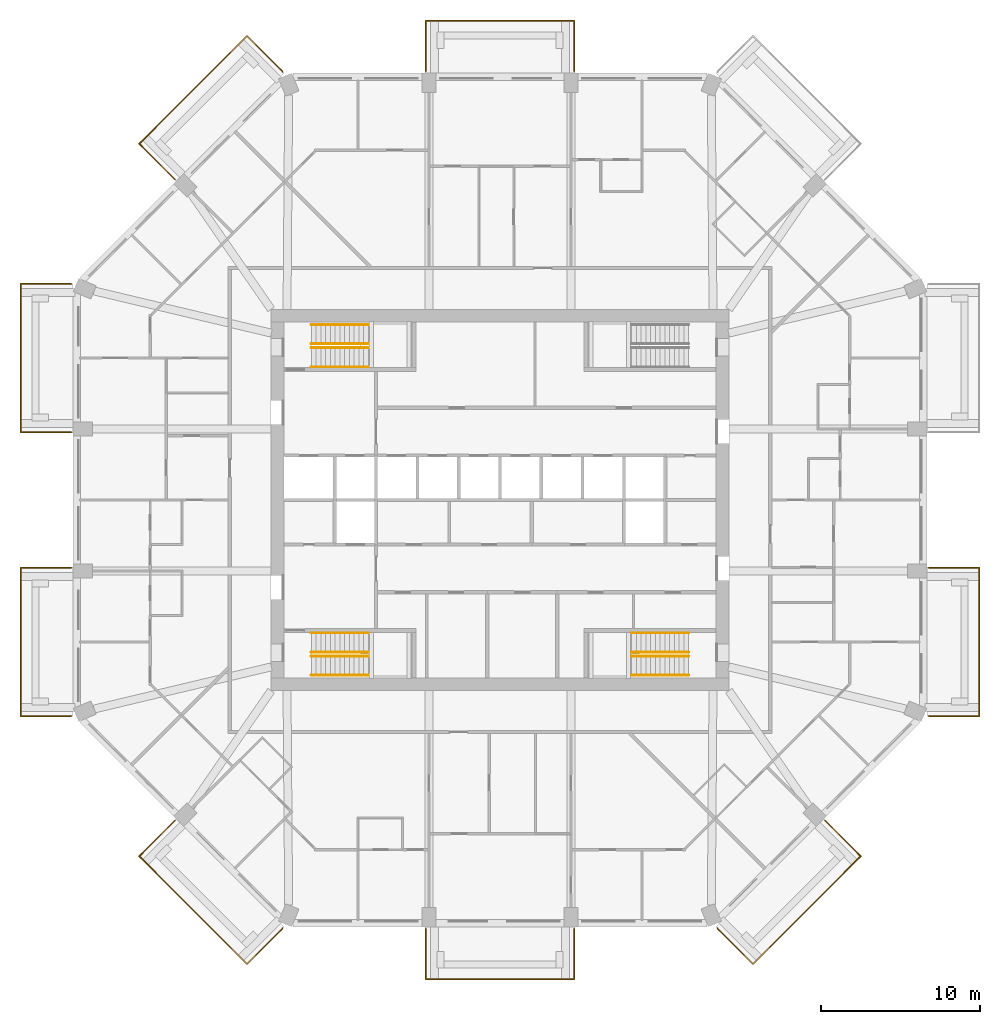
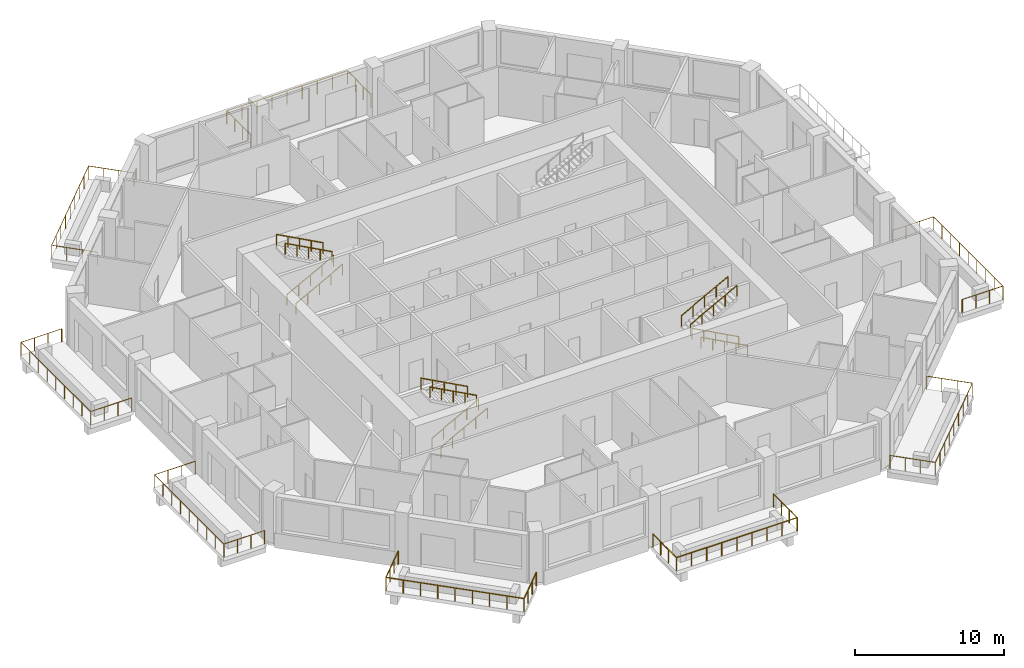
# One storey, part 12 of 13: 20 railings.
"""IFC4 building model written with IfcOpenShell, lengths in metres."""

from ifc_helpers import new_model, si_unit, direction, frame, origin, origin_2d, place, context, subcontext, project, spatial, circle, extrude, material, constituent, constituent_set, type_object, element, save


model = new_model("IFC4")

# Units and contexts
model_context = context("Model", 3, precision=1e-05, world=origin(), true_north=direction((0.0, 1.0)))
body_context = subcontext(model_context, "Body", "Model", "MODEL_VIEW")
ifc_project = project(units=[si_unit("LENGTHUNIT", "METRE"), si_unit("AREAUNIT", "SQUARE_METRE"), si_unit("VOLUMEUNIT", "CUBIC_METRE"), si_unit("PLANEANGLEUNIT", "RADIAN"), si_unit("MASSUNIT", "GRAM", prefix="KILO")], contexts=[model_context])

# Site, building, storey
site_placement = place(None, origin())
site = spatial("IfcSite", under=ifc_project, at=site_placement, CompositionType="ELEMENT")
building_placement = place(site_placement, origin())
building = spatial("IfcBuilding", under=site, at=building_placement, Name="Msitu Wima Residences", CompositionType="ELEMENT")
storey_placement = place(building_placement, frame((0.0, 0.0, 140.10009765625)))
storey = spatial("IfcBuildingStorey", under=building, at=storey_placement, Name="L32", CompositionType="ELEMENT", Elevation=140.10009765625)

# Railings
ifc_material_1 = material(Name="Steel S355", Category="steel")
ifc_constituent_1 = constituent(ifc_material_1, Name="Steel S355")
ifc_material_2 = material(Name="Weathering patina")
ifc_constituent_2 = constituent(ifc_material_2, Name="Weathering patina")
ifc_constituent_set_1 = constituent_set(constituents=[ifc_constituent_1, ifc_constituent_2], Name="Steel S355")
railing_type_1 = type_object("IfcRailingType", Name="Balcony guard GR1100", PredefinedType="GUARDRAIL", material=ifc_constituent_set_1)
railing_1_placement = place(storey_placement, frame((26.97998046875, -4.2685546875, 0.0)))
element("IfcRailing", 1, at=railing_1_placement, inside=storey, type_object=railing_type_1, Name="Balcony guard E0 L32", PredefinedType="GUARDRAIL", context=body_context, shape_type="SweptSolid", body=[
    extrude(circle(Radius=0.02392578125, at=origin_2d()), frame((0.0, 0.0, 1.076171875), z_axis=(1.0, 0.0, 0.0), x_axis=(0.0, 1.0, 0.0)), (0.0, 0.0, 1.0), 3.169921875),
    extrude(circle(Radius=0.02392578125, at=origin_2d()), frame((3.169921875, 0.0, 1.076171875), z_axis=(0.0, -1.0, 0.0), x_axis=(1.0, 0.0, 0.0)), (0.0, 0.0, 1.0), 9.33740234375),
    extrude(circle(Radius=0.02392578125, at=origin_2d()), frame((3.169921875, -9.33740234375, 1.076171875), z_axis=(-1.0, 0.0, 0.0), x_axis=(0.0, -1.0, 0.0)), (0.0, 0.0, 1.0), 3.136474609375),
    extrude(circle(Radius=0.02392578125, at=origin_2d()), frame((0.033447265625, -9.33740234375, 1.076171875), z_axis=(-0.923276184907, 0.384136806859, 0.0), x_axis=(-0.384136806859, -0.923276184907, 0.0)), (0.0, 0.0, 1.0), 0.0361328125),
    extrude(circle(Radius=0.02099609375, at=origin_2d()), origin(), (0.0, 0.0, 1.0), 1.052001953125),
    extrude(circle(Radius=0.02099609375, at=origin_2d()), frame((1.056640625, 0.0, 0.0)), (0.0, 0.0, 1.0), 1.052001953125),
    extrude(circle(Radius=0.02099609375, at=origin_2d()), frame((2.11328125, 0.0, 0.0)), (0.0, 0.0, 1.0), 1.052001953125),
    extrude(circle(Radius=0.02099609375, at=origin_2d()), frame((3.169921875, 0.0, 0.0)), (0.0, 0.0, 1.0), 1.052001953125),
    extrude(circle(Radius=0.02099609375, at=origin_2d()), frame((3.169921875, -1.167236328125, 0.0)), (0.0, 0.0, 1.0), 1.052001953125),
    extrude(circle(Radius=0.02099609375, at=origin_2d()), frame((3.169921875, -2.33447265625, 0.0)), (0.0, 0.0, 1.0), 1.052001953125),
    extrude(circle(Radius=0.02099609375, at=origin_2d()), frame((3.169921875, -3.50146484375, 0.0)), (0.0, 0.0, 1.0), 1.052001953125),
    extrude(circle(Radius=0.02099609375, at=origin_2d()), frame((3.169921875, -4.668701171875, 0.0)), (0.0, 0.0, 1.0), 1.052001953125),
    extrude(circle(Radius=0.02099609375, at=origin_2d()), frame((3.169921875, -5.8359375, 0.0)), (0.0, 0.0, 1.0), 1.052001953125),
    extrude(circle(Radius=0.02099609375, at=origin_2d()), frame((3.169921875, -7.0029296875, 0.0)), (0.0, 0.0, 1.0), 1.052001953125),
    extrude(circle(Radius=0.02099609375, at=origin_2d()), frame((3.169921875, -8.170166015625, 0.0)), (0.0, 0.0, 1.0), 1.052001953125),
    extrude(circle(Radius=0.02099609375, at=origin_2d()), frame((3.169921875, -9.33740234375, 0.0)), (0.0, 0.0, 1.0), 1.052001953125),
    extrude(circle(Radius=0.02099609375, at=origin_2d()), frame((2.12451171875, -9.33740234375, 0.0)), (0.0, 0.0, 1.0), 1.052001953125),
    extrude(circle(Radius=0.02099609375, at=origin_2d()), frame((1.078857421875, -9.33740234375, 0.0)), (0.0, 0.0, 1.0), 1.052001953125),
    extrude(circle(Radius=0.02099609375, at=origin_2d()), frame((0.033447265625, -9.33740234375, 0.0)), (0.0, 0.0, 1.0), 1.052001953125),
    extrude(circle(Radius=0.02099609375, at=origin_2d()), frame((0.0, -9.323486328125, 0.0)), (0.0, 0.0, 1.0), 1.052001953125),
])
railing_2_placement = place(storey_placement, frame((-4.668701171875, 26.97998046875, 0.0)))
element("IfcRailing", 2, at=railing_2_placement, inside=storey, type_object=railing_type_1, Name="Balcony guard N1 L32", PredefinedType="GUARDRAIL", context=body_context, shape_type="SweptSolid", body=[
    extrude(circle(Radius=0.02392578125, at=origin_2d()), frame((0.0, 0.0, 1.076171875), z_axis=(0.0, 1.0, 0.0), x_axis=(-1.0, 0.0, 0.0)), (0.0, 0.0, 1.0), 3.169921875),
    extrude(circle(Radius=0.02392578125, at=origin_2d()), frame((0.0, 3.169921875, 1.076171875), z_axis=(1.0, 0.0, 0.0), x_axis=(0.0, 1.0, 0.0)), (0.0, 0.0, 1.0), 9.33740234375),
    extrude(circle(Radius=0.02392578125, at=origin_2d()), frame((9.33740234375, 3.169921875, 1.076171875), z_axis=(0.0, -1.0, 0.0), x_axis=(1.0, 0.0, 0.0)), (0.0, 0.0, 1.0), 3.169921875),
    extrude(circle(Radius=0.02099609375, at=origin_2d()), origin(), (0.0, 0.0, 1.0), 1.052001953125),
    extrude(circle(Radius=0.02099609375, at=origin_2d()), frame((0.0, 1.056640625, 0.0)), (0.0, 0.0, 1.0), 1.052001953125),
    extrude(circle(Radius=0.02099609375, at=origin_2d()), frame((0.0, 2.11328125, 0.0)), (0.0, 0.0, 1.0), 1.052001953125),
    extrude(circle(Radius=0.02099609375, at=origin_2d()), frame((0.0, 3.169921875, 0.0)), (0.0, 0.0, 1.0), 1.052001953125),
    extrude(circle(Radius=0.02099609375, at=origin_2d()), frame((1.167236328125, 3.169921875, 0.0)), (0.0, 0.0, 1.0), 1.052001953125),
    extrude(circle(Radius=0.02099609375, at=origin_2d()), frame((2.33447265625, 3.169921875, 0.0)), (0.0, 0.0, 1.0), 1.052001953125),
    extrude(circle(Radius=0.02099609375, at=origin_2d()), frame((3.50146484375, 3.169921875, 0.0)), (0.0, 0.0, 1.0), 1.052001953125),
    extrude(circle(Radius=0.02099609375, at=origin_2d()), frame((4.668701171875, 3.169921875, 0.0)), (0.0, 0.0, 1.0), 1.052001953125),
    extrude(circle(Radius=0.02099609375, at=origin_2d()), frame((5.8359375, 3.169921875, 0.0)), (0.0, 0.0, 1.0), 1.052001953125),
    extrude(circle(Radius=0.02099609375, at=origin_2d()), frame((7.0029296875, 3.169921875, 0.0)), (0.0, 0.0, 1.0), 1.052001953125),
    extrude(circle(Radius=0.02099609375, at=origin_2d()), frame((8.170166015625, 3.169921875, 0.0)), (0.0, 0.0, 1.0), 1.052001953125),
    extrude(circle(Radius=0.02099609375, at=origin_2d()), frame((9.33740234375, 3.169921875, 0.0)), (0.0, 0.0, 1.0), 1.052001953125),
    extrude(circle(Radius=0.02099609375, at=origin_2d()), frame((9.33740234375, 2.11328125, 0.0)), (0.0, 0.0, 1.0), 1.052001953125),
    extrude(circle(Radius=0.02099609375, at=origin_2d()), frame((9.33740234375, 1.056640625, 0.0)), (0.0, 0.0, 1.0), 1.052001953125),
    extrude(circle(Radius=0.02099609375, at=origin_2d()), frame((9.33740234375, 0.0, 0.0)), (0.0, 0.0, 1.0), 1.052001953125),
])
railing_3_placement = place(storey_placement, frame((-20.45458984375, 20.171630859375, 0.0)))
element("IfcRailing", 3, at=railing_3_placement, inside=storey, type_object=railing_type_1, Name="Balcony guard NW0 L32", PredefinedType="GUARDRAIL", context=body_context, shape_type="SweptSolid", body=[
    extrude(circle(Radius=0.02392578125, at=origin_2d()), frame((0.0, 0.0, 1.076171875), z_axis=(-0.707106781187, 0.707106781187, 0.0), x_axis=(-0.707106781187, -0.707106781187, 0.0)), (0.0, 0.0, 1.0), 3.169921875),
    extrude(circle(Radius=0.02392578125, at=origin_2d()), frame((-2.241455078125, 2.241455078125, 1.076171875), z_axis=(0.707106781187, 0.707106781187, 0.0), x_axis=(-0.707106781187, 0.707106781187, 0.0)), (0.0, 0.0, 1.0), 9.58837890625),
    extrude(circle(Radius=0.02392578125, at=origin_2d()), frame((4.53857421875, 9.021484375, 1.076171875), z_axis=(0.707106781187, -0.707106781187, 0.0), x_axis=(0.707106781187, 0.707106781187, 0.0)), (0.0, 0.0, 1.0), 3.136474609375),
    extrude(circle(Radius=0.02392578125, at=origin_2d()), frame((6.75634765625, 6.8037109375, 1.076171875), z_axis=(0.38176015442, -0.92426142649, 0.0), x_axis=(0.92426142649, 0.38176015442, 0.0)), (0.0, 0.0, 1.0), 0.036376953125),
    extrude(circle(Radius=0.02099609375, at=origin_2d()), origin(), (0.0, 0.0, 1.0), 1.052001953125),
    extrude(circle(Radius=0.02099609375, at=origin_2d()), frame((-0.7470703125, 0.7470703125, 0.0)), (0.0, 0.0, 1.0), 1.052001953125),
    extrude(circle(Radius=0.02099609375, at=origin_2d()), frame((-1.494384765625, 1.494384765625, 0.0)), (0.0, 0.0, 1.0), 1.052001953125),
    extrude(circle(Radius=0.02099609375, at=origin_2d()), frame((-2.241455078125, 2.241455078125, 0.0)), (0.0, 0.0, 1.0), 1.052001953125),
    extrude(circle(Radius=0.02099609375, at=origin_2d()), frame((-1.39404296875, 3.0888671875, 0.0)), (0.0, 0.0, 1.0), 1.052001953125),
    extrude(circle(Radius=0.02099609375, at=origin_2d()), frame((-0.54638671875, 3.9365234375, 0.0)), (0.0, 0.0, 1.0), 1.052001953125),
    extrude(circle(Radius=0.02099609375, at=origin_2d()), frame((0.301025390625, 4.783935546875, 0.0)), (0.0, 0.0, 1.0), 1.052001953125),
    extrude(circle(Radius=0.02099609375, at=origin_2d()), frame((1.1484375, 5.63134765625, 0.0)), (0.0, 0.0, 1.0), 1.052001953125),
    extrude(circle(Radius=0.02099609375, at=origin_2d()), frame((1.99609375, 6.47900390625, 0.0)), (0.0, 0.0, 1.0), 1.052001953125),
    extrude(circle(Radius=0.02099609375, at=origin_2d()), frame((2.843505859375, 7.326416015625, 0.0)), (0.0, 0.0, 1.0), 1.052001953125),
    extrude(circle(Radius=0.02099609375, at=origin_2d()), frame((3.691162109375, 8.174072265625, 0.0)), (0.0, 0.0, 1.0), 1.052001953125),
    extrude(circle(Radius=0.02099609375, at=origin_2d()), frame((4.53857421875, 9.021484375, 0.0)), (0.0, 0.0, 1.0), 1.052001953125),
    extrude(circle(Radius=0.02099609375, at=origin_2d()), frame((5.27783203125, 8.2822265625, 0.0)), (0.0, 0.0, 1.0), 1.052001953125),
    extrude(circle(Radius=0.02099609375, at=origin_2d()), frame((6.01708984375, 7.54296875, 0.0)), (0.0, 0.0, 1.0), 1.052001953125),
    extrude(circle(Radius=0.02099609375, at=origin_2d()), frame((6.75634765625, 6.8037109375, 0.0)), (0.0, 0.0, 1.0), 1.052001953125),
    extrude(circle(Radius=0.02099609375, at=origin_2d()), frame((6.770263671875, 6.77001953125, 0.0)), (0.0, 0.0, 1.0), 1.052001953125),
])
railing_4_placement = place(storey_placement, frame((-26.97998046875, 4.2685546875, 0.0)))
element("IfcRailing", 4, at=railing_4_placement, inside=storey, type_object=railing_type_1, Name="Balcony guard W0 L32", PredefinedType="GUARDRAIL", context=body_context, shape_type="SweptSolid", body=[
    extrude(circle(Radius=0.02392578125, at=origin_2d()), frame((0.0, 0.0, 1.076171875), z_axis=(-1.0, 0.0, 0.0), x_axis=(0.0, -1.0, 0.0)), (0.0, 0.0, 1.0), 3.169921875),
    extrude(circle(Radius=0.02392578125, at=origin_2d()), frame((-3.169921875, 0.0, 1.076171875), z_axis=(0.0, 1.0, 0.0), x_axis=(-1.0, 0.0, 0.0)), (0.0, 0.0, 1.0), 9.33740234375),
    extrude(circle(Radius=0.02392578125, at=origin_2d()), frame((-3.169921875, 9.33740234375, 1.076171875), z_axis=(1.0, 0.0, 0.0), x_axis=(0.0, 1.0, 0.0)), (0.0, 0.0, 1.0), 3.136474609375),
    extrude(circle(Radius=0.02392578125, at=origin_2d()), frame((-0.033447265625, 9.33740234375, 1.076171875), z_axis=(0.923276184907, -0.384136806859, 0.0), x_axis=(0.384136806859, 0.923276184907, 0.0)), (0.0, 0.0, 1.0), 0.0361328125),
    extrude(circle(Radius=0.02099609375, at=origin_2d()), origin(), (0.0, 0.0, 1.0), 1.052001953125),
    extrude(circle(Radius=0.02099609375, at=origin_2d()), frame((-1.056640625, 0.0, 0.0)), (0.0, 0.0, 1.0), 1.052001953125),
    extrude(circle(Radius=0.02099609375, at=origin_2d()), frame((-2.11328125, 0.0, 0.0)), (0.0, 0.0, 1.0), 1.052001953125),
    extrude(circle(Radius=0.02099609375, at=origin_2d()), frame((-3.169921875, 0.0, 0.0)), (0.0, 0.0, 1.0), 1.052001953125),
    extrude(circle(Radius=0.02099609375, at=origin_2d()), frame((-3.169921875, 1.167236328125, 0.0)), (0.0, 0.0, 1.0), 1.052001953125),
    extrude(circle(Radius=0.02099609375, at=origin_2d()), frame((-3.169921875, 2.33447265625, 0.0)), (0.0, 0.0, 1.0), 1.052001953125),
    extrude(circle(Radius=0.02099609375, at=origin_2d()), frame((-3.169921875, 3.50146484375, 0.0)), (0.0, 0.0, 1.0), 1.052001953125),
    extrude(circle(Radius=0.02099609375, at=origin_2d()), frame((-3.169921875, 4.668701171875, 0.0)), (0.0, 0.0, 1.0), 1.052001953125),
    extrude(circle(Radius=0.02099609375, at=origin_2d()), frame((-3.169921875, 5.8359375, 0.0)), (0.0, 0.0, 1.0), 1.052001953125),
    extrude(circle(Radius=0.02099609375, at=origin_2d()), frame((-3.169921875, 7.0029296875, 0.0)), (0.0, 0.0, 1.0), 1.052001953125),
    extrude(circle(Radius=0.02099609375, at=origin_2d()), frame((-3.169921875, 8.170166015625, 0.0)), (0.0, 0.0, 1.0), 1.052001953125),
    extrude(circle(Radius=0.02099609375, at=origin_2d()), frame((-3.169921875, 9.33740234375, 0.0)), (0.0, 0.0, 1.0), 1.052001953125),
    extrude(circle(Radius=0.02099609375, at=origin_2d()), frame((-2.12451171875, 9.33740234375, 0.0)), (0.0, 0.0, 1.0), 1.052001953125),
    extrude(circle(Radius=0.02099609375, at=origin_2d()), frame((-1.078857421875, 9.33740234375, 0.0)), (0.0, 0.0, 1.0), 1.052001953125),
    extrude(circle(Radius=0.02099609375, at=origin_2d()), frame((-0.033447265625, 9.33740234375, 0.0)), (0.0, 0.0, 1.0), 1.052001953125),
    extrude(circle(Radius=0.02099609375, at=origin_2d()), frame((0.0, 9.323486328125, 0.0)), (0.0, 0.0, 1.0), 1.052001953125),
])
railing_5_placement = place(storey_placement, frame((-26.97998046875, -13.592041015625, 0.0)))
element("IfcRailing", 5, at=railing_5_placement, inside=storey, type_object=railing_type_1, Name="Balcony guard W2 L32", PredefinedType="GUARDRAIL", context=body_context, shape_type="SweptSolid", body=[
    extrude(circle(Radius=0.02392578125, at=origin_2d()), frame((0.0, 0.0, 1.076171875), z_axis=(-0.923276184907, -0.384136806859, 0.0), x_axis=(0.384136806859, -0.923276184907, 0.0)), (0.0, 0.0, 1.0), 0.0361328125),
    extrude(circle(Radius=0.02392578125, at=origin_2d()), frame((-0.033447265625, -0.013916015625, 1.076171875), z_axis=(-1.0, 0.0, 0.0), x_axis=(0.0, -1.0, 0.0)), (0.0, 0.0, 1.0), 3.136474609375),
    extrude(circle(Radius=0.02392578125, at=origin_2d()), frame((-3.169921875, -0.013916015625, 1.076171875), z_axis=(0.0, 1.0, 0.0), x_axis=(-1.0, 0.0, 0.0)), (0.0, 0.0, 1.0), 9.33740234375),
    extrude(circle(Radius=0.02392578125, at=origin_2d()), frame((-3.169921875, 9.323486328125, 1.076171875), z_axis=(1.0, 0.0, 0.0), x_axis=(0.0, 1.0, 0.0)), (0.0, 0.0, 1.0), 3.169921875),
    extrude(circle(Radius=0.02099609375, at=origin_2d()), origin(), (0.0, 0.0, 1.0), 1.052001953125),
    extrude(circle(Radius=0.02099609375, at=origin_2d()), frame((-0.033447265625, -0.013916015625, 0.0)), (0.0, 0.0, 1.0), 1.052001953125),
    extrude(circle(Radius=0.02099609375, at=origin_2d()), frame((-1.078857421875, -0.013916015625, 0.0)), (0.0, 0.0, 1.0), 1.052001953125),
    extrude(circle(Radius=0.02099609375, at=origin_2d()), frame((-2.12451171875, -0.013916015625, 0.0)), (0.0, 0.0, 1.0), 1.052001953125),
    extrude(circle(Radius=0.02099609375, at=origin_2d()), frame((-3.169921875, -0.013916015625, 0.0)), (0.0, 0.0, 1.0), 1.052001953125),
    extrude(circle(Radius=0.02099609375, at=origin_2d()), frame((-3.169921875, 1.1533203125, 0.0)), (0.0, 0.0, 1.0), 1.052001953125),
    extrude(circle(Radius=0.02099609375, at=origin_2d()), frame((-3.169921875, 2.3203125, 0.0)), (0.0, 0.0, 1.0), 1.052001953125),
    extrude(circle(Radius=0.02099609375, at=origin_2d()), frame((-3.169921875, 3.487548828125, 0.0)), (0.0, 0.0, 1.0), 1.052001953125),
    extrude(circle(Radius=0.02099609375, at=origin_2d()), frame((-3.169921875, 4.65478515625, 0.0)), (0.0, 0.0, 1.0), 1.052001953125),
    extrude(circle(Radius=0.02099609375, at=origin_2d()), frame((-3.169921875, 5.822021484375, 0.0)), (0.0, 0.0, 1.0), 1.052001953125),
    extrude(circle(Radius=0.02099609375, at=origin_2d()), frame((-3.169921875, 6.9892578125, 0.0)), (0.0, 0.0, 1.0), 1.052001953125),
    extrude(circle(Radius=0.02099609375, at=origin_2d()), frame((-3.169921875, 8.15625, 0.0)), (0.0, 0.0, 1.0), 1.052001953125),
    extrude(circle(Radius=0.02099609375, at=origin_2d()), frame((-3.169921875, 9.323486328125, 0.0)), (0.0, 0.0, 1.0), 1.052001953125),
    extrude(circle(Radius=0.02099609375, at=origin_2d()), frame((-2.11328125, 9.323486328125, 0.0)), (0.0, 0.0, 1.0), 1.052001953125),
    extrude(circle(Radius=0.02099609375, at=origin_2d()), frame((-1.056640625, 9.323486328125, 0.0)), (0.0, 0.0, 1.0), 1.052001953125),
    extrude(circle(Radius=0.02099609375, at=origin_2d()), frame((0.0, 9.323486328125, 0.0)), (0.0, 0.0, 1.0), 1.052001953125),
])
railing_6_placement = place(storey_placement, frame((-13.684326171875, -26.941650390625, 0.0)))
element("IfcRailing", 6, at=railing_6_placement, inside=storey, type_object=railing_type_1, Name="Balcony guard SW1 L32", PredefinedType="GUARDRAIL", context=body_context, shape_type="SweptSolid", body=[
    extrude(circle(Radius=0.02392578125, at=origin_2d()), frame((0.0, 0.0, 1.076171875), z_axis=(-0.38176015442, -0.92426142649, 0.0), x_axis=(0.92426142649, -0.38176015442, 0.0)), (0.0, 0.0, 1.0), 0.036376953125),
    extrude(circle(Radius=0.02392578125, at=origin_2d()), frame((-0.013916015625, -0.03369140625, 1.076171875), z_axis=(-0.707106781187, -0.707106781187, 0.0), x_axis=(0.707106781187, -0.707106781187, 0.0)), (0.0, 0.0, 1.0), 3.136474609375),
    extrude(circle(Radius=0.02392578125, at=origin_2d()), frame((-2.231689453125, -2.25146484375, 1.076171875), z_axis=(-0.707106781187, 0.707106781187, 0.0), x_axis=(-0.707106781187, -0.707106781187, 0.0)), (0.0, 0.0, 1.0), 9.58837890625),
    extrude(circle(Radius=0.02392578125, at=origin_2d()), frame((-9.01171875, 4.528564453125, 1.076171875), z_axis=(0.707106781187, 0.707106781187, 0.0), x_axis=(-0.707106781187, 0.707106781187, 0.0)), (0.0, 0.0, 1.0), 3.169921875),
    extrude(circle(Radius=0.02099609375, at=origin_2d()), origin(), (0.0, 0.0, 1.0), 1.052001953125),
    extrude(circle(Radius=0.02099609375, at=origin_2d()), frame((-0.013916015625, -0.03369140625, 0.0)), (0.0, 0.0, 1.0), 1.052001953125),
    extrude(circle(Radius=0.02099609375, at=origin_2d()), frame((-0.753173828125, -0.77294921875, 0.0)), (0.0, 0.0, 1.0), 1.052001953125),
    extrude(circle(Radius=0.02099609375, at=origin_2d()), frame((-1.492431640625, -1.51220703125, 0.0)), (0.0, 0.0, 1.0), 1.052001953125),
    extrude(circle(Radius=0.02099609375, at=origin_2d()), frame((-2.231689453125, -2.25146484375, 0.0)), (0.0, 0.0, 1.0), 1.052001953125),
    extrude(circle(Radius=0.02099609375, at=origin_2d()), frame((-3.0791015625, -1.404052734375, 0.0)), (0.0, 0.0, 1.0), 1.052001953125),
    extrude(circle(Radius=0.02099609375, at=origin_2d()), frame((-3.9267578125, -0.556396484375, 0.0)), (0.0, 0.0, 1.0), 1.052001953125),
    extrude(circle(Radius=0.02099609375, at=origin_2d()), frame((-4.774169921875, 0.291015625, 0.0)), (0.0, 0.0, 1.0), 1.052001953125),
    extrude(circle(Radius=0.02099609375, at=origin_2d()), frame((-5.62158203125, 1.138671875, 0.0)), (0.0, 0.0, 1.0), 1.052001953125),
    extrude(circle(Radius=0.02099609375, at=origin_2d()), frame((-6.46923828125, 1.986083984375, 0.0)), (0.0, 0.0, 1.0), 1.052001953125),
    extrude(circle(Radius=0.02099609375, at=origin_2d()), frame((-7.316650390625, 2.83349609375, 0.0)), (0.0, 0.0, 1.0), 1.052001953125),
    extrude(circle(Radius=0.02099609375, at=origin_2d()), frame((-8.164306640625, 3.68115234375, 0.0)), (0.0, 0.0, 1.0), 1.052001953125),
    extrude(circle(Radius=0.02099609375, at=origin_2d()), frame((-9.01171875, 4.528564453125, 0.0)), (0.0, 0.0, 1.0), 1.052001953125),
    extrude(circle(Radius=0.02099609375, at=origin_2d()), frame((-8.2646484375, 5.275634765625, 0.0)), (0.0, 0.0, 1.0), 1.052001953125),
    extrude(circle(Radius=0.02099609375, at=origin_2d()), frame((-7.517333984375, 6.02294921875, 0.0)), (0.0, 0.0, 1.0), 1.052001953125),
    extrude(circle(Radius=0.02099609375, at=origin_2d()), frame((-6.770263671875, 6.77001953125, 0.0)), (0.0, 0.0, 1.0), 1.052001953125),
])
railing_7_placement = place(storey_placement, frame((4.668701171875, -26.97998046875, 0.0)))
element("IfcRailing", 7, at=railing_7_placement, inside=storey, type_object=railing_type_1, Name="Balcony guard S1 L32", PredefinedType="GUARDRAIL", context=body_context, shape_type="SweptSolid", body=[
    extrude(circle(Radius=0.02392578125, at=origin_2d()), frame((0.0, 0.0, 1.076171875), z_axis=(0.0, -1.0, 0.0), x_axis=(1.0, 0.0, 0.0)), (0.0, 0.0, 1.0), 3.169921875),
    extrude(circle(Radius=0.02392578125, at=origin_2d()), frame((0.0, -3.169921875, 1.076171875), z_axis=(-1.0, 0.0, 0.0), x_axis=(0.0, -1.0, 0.0)), (0.0, 0.0, 1.0), 9.33740234375),
    extrude(circle(Radius=0.02392578125, at=origin_2d()), frame((-9.33740234375, -3.169921875, 1.076171875), z_axis=(0.0, 1.0, 0.0), x_axis=(-1.0, 0.0, 0.0)), (0.0, 0.0, 1.0), 3.169921875),
    extrude(circle(Radius=0.02099609375, at=origin_2d()), origin(), (0.0, 0.0, 1.0), 1.052001953125),
    extrude(circle(Radius=0.02099609375, at=origin_2d()), frame((0.0, -1.056640625, 0.0)), (0.0, 0.0, 1.0), 1.052001953125),
    extrude(circle(Radius=0.02099609375, at=origin_2d()), frame((0.0, -2.11328125, 0.0)), (0.0, 0.0, 1.0), 1.052001953125),
    extrude(circle(Radius=0.02099609375, at=origin_2d()), frame((0.0, -3.169921875, 0.0)), (0.0, 0.0, 1.0), 1.052001953125),
    extrude(circle(Radius=0.02099609375, at=origin_2d()), frame((-1.167236328125, -3.169921875, 0.0)), (0.0, 0.0, 1.0), 1.052001953125),
    extrude(circle(Radius=0.02099609375, at=origin_2d()), frame((-2.33447265625, -3.169921875, 0.0)), (0.0, 0.0, 1.0), 1.052001953125),
    extrude(circle(Radius=0.02099609375, at=origin_2d()), frame((-3.50146484375, -3.169921875, 0.0)), (0.0, 0.0, 1.0), 1.052001953125),
    extrude(circle(Radius=0.02099609375, at=origin_2d()), frame((-4.668701171875, -3.169921875, 0.0)), (0.0, 0.0, 1.0), 1.052001953125),
    extrude(circle(Radius=0.02099609375, at=origin_2d()), frame((-5.8359375, -3.169921875, 0.0)), (0.0, 0.0, 1.0), 1.052001953125),
    extrude(circle(Radius=0.02099609375, at=origin_2d()), frame((-7.0029296875, -3.169921875, 0.0)), (0.0, 0.0, 1.0), 1.052001953125),
    extrude(circle(Radius=0.02099609375, at=origin_2d()), frame((-8.170166015625, -3.169921875, 0.0)), (0.0, 0.0, 1.0), 1.052001953125),
    extrude(circle(Radius=0.02099609375, at=origin_2d()), frame((-9.33740234375, -3.169921875, 0.0)), (0.0, 0.0, 1.0), 1.052001953125),
    extrude(circle(Radius=0.02099609375, at=origin_2d()), frame((-9.33740234375, -2.11328125, 0.0)), (0.0, 0.0, 1.0), 1.052001953125),
    extrude(circle(Radius=0.02099609375, at=origin_2d()), frame((-9.33740234375, -1.056640625, 0.0)), (0.0, 0.0, 1.0), 1.052001953125),
    extrude(circle(Radius=0.02099609375, at=origin_2d()), frame((-9.33740234375, 0.0, 0.0)), (0.0, 0.0, 1.0), 1.052001953125),
])
railing_8_placement = place(storey_placement, frame((20.45458984375, -20.171630859375, 0.0)))
element("IfcRailing", 8, at=railing_8_placement, inside=storey, type_object=railing_type_1, Name="Balcony guard SE0 L32", PredefinedType="GUARDRAIL", context=body_context, shape_type="SweptSolid", body=[
    extrude(circle(Radius=0.02392578125, at=origin_2d()), frame((0.0, 0.0, 1.076171875), z_axis=(0.707106781187, -0.707106781187, 0.0), x_axis=(0.707106781187, 0.707106781187, 0.0)), (0.0, 0.0, 1.0), 3.169921875),
    extrude(circle(Radius=0.02392578125, at=origin_2d()), frame((2.241455078125, -2.241455078125, 1.076171875), z_axis=(-0.707106781187, -0.707106781187, 0.0), x_axis=(0.707106781187, -0.707106781187, 0.0)), (0.0, 0.0, 1.0), 9.58837890625),
    extrude(circle(Radius=0.02392578125, at=origin_2d()), frame((-4.53857421875, -9.021484375, 1.076171875), z_axis=(-0.707106781187, 0.707106781187, 0.0), x_axis=(-0.707106781187, -0.707106781187, 0.0)), (0.0, 0.0, 1.0), 3.136474609375),
    extrude(circle(Radius=0.02392578125, at=origin_2d()), frame((-6.75634765625, -6.8037109375, 1.076171875), z_axis=(-0.38176015442, 0.92426142649, 0.0), x_axis=(-0.92426142649, -0.38176015442, 0.0)), (0.0, 0.0, 1.0), 0.036376953125),
    extrude(circle(Radius=0.02099609375, at=origin_2d()), origin(), (0.0, 0.0, 1.0), 1.052001953125),
    extrude(circle(Radius=0.02099609375, at=origin_2d()), frame((0.7470703125, -0.7470703125, 0.0)), (0.0, 0.0, 1.0), 1.052001953125),
    extrude(circle(Radius=0.02099609375, at=origin_2d()), frame((1.494384765625, -1.494384765625, 0.0)), (0.0, 0.0, 1.0), 1.052001953125),
    extrude(circle(Radius=0.02099609375, at=origin_2d()), frame((2.241455078125, -2.241455078125, 0.0)), (0.0, 0.0, 1.0), 1.052001953125),
    extrude(circle(Radius=0.02099609375, at=origin_2d()), frame((1.39404296875, -3.0888671875, 0.0)), (0.0, 0.0, 1.0), 1.052001953125),
    extrude(circle(Radius=0.02099609375, at=origin_2d()), frame((0.54638671875, -3.9365234375, 0.0)), (0.0, 0.0, 1.0), 1.052001953125),
    extrude(circle(Radius=0.02099609375, at=origin_2d()), frame((-0.301025390625, -4.783935546875, 0.0)), (0.0, 0.0, 1.0), 1.052001953125),
    extrude(circle(Radius=0.02099609375, at=origin_2d()), frame((-1.1484375, -5.63134765625, 0.0)), (0.0, 0.0, 1.0), 1.052001953125),
    extrude(circle(Radius=0.02099609375, at=origin_2d()), frame((-1.99609375, -6.47900390625, 0.0)), (0.0, 0.0, 1.0), 1.052001953125),
    extrude(circle(Radius=0.02099609375, at=origin_2d()), frame((-2.843505859375, -7.326416015625, 0.0)), (0.0, 0.0, 1.0), 1.052001953125),
    extrude(circle(Radius=0.02099609375, at=origin_2d()), frame((-3.691162109375, -8.174072265625, 0.0)), (0.0, 0.0, 1.0), 1.052001953125),
    extrude(circle(Radius=0.02099609375, at=origin_2d()), frame((-4.53857421875, -9.021484375, 0.0)), (0.0, 0.0, 1.0), 1.052001953125),
    extrude(circle(Radius=0.02099609375, at=origin_2d()), frame((-5.27783203125, -8.2822265625, 0.0)), (0.0, 0.0, 1.0), 1.052001953125),
    extrude(circle(Radius=0.02099609375, at=origin_2d()), frame((-6.01708984375, -7.54296875, 0.0)), (0.0, 0.0, 1.0), 1.052001953125),
    extrude(circle(Radius=0.02099609375, at=origin_2d()), frame((-6.75634765625, -6.8037109375, 0.0)), (0.0, 0.0, 1.0), 1.052001953125),
    extrude(circle(Radius=0.02099609375, at=origin_2d()), frame((-6.770263671875, -6.77001953125, 0.0)), (0.0, 0.0, 1.0), 1.052001953125),
])
ifc_constituent_3 = constituent(ifc_material_1, Name="Steel S355")
ifc_material_3 = material(Name="Black powder coating")
ifc_constituent_4 = constituent(ifc_material_3, Name="Black powder coating")
ifc_constituent_set_2 = constituent_set(constituents=[ifc_constituent_3, ifc_constituent_4], Name="Steel S355")
railing_type_2 = type_object("IfcRailingType", Name="Stair handrail HR1", PredefinedType="HANDRAIL", material=ifc_constituent_set_2)
for number, where, name in (
    (9, (-11.875, 8.375, 0.161376953125), "Stair 1 handrail"),
    (10, (-11.875, 9.574951171875, 0.161376953125), "Stair 1 handrail"),
):
    element("IfcRailing", number, at=place(storey_placement, frame(where)), inside=storey, type_object=railing_type_2, Name=name, PredefinedType="HANDRAIL", context=body_context, shape_type="SweptSolid", body=[
        extrude(circle(Radius=0.02392578125, at=origin_2d()), frame((0.0, 0.0, 0.8759765625), z_axis=(0.880474934443, 0.0, 0.474092701714), x_axis=(0.0, 1.0, 0.0)), (0.0, 0.0, 1.0), 4.0888671875),
        extrude(circle(Radius=0.02099609375, at=origin_2d()), origin(), (0.0, 0.0, 1.0), 0.851806640625),
        extrude(circle(Radius=0.02099609375, at=origin_2d()), frame((0.89990234375, 0.0, 0.484619140625)), (0.0, 0.0, 1.0), 0.851806640625),
        extrude(circle(Radius=0.02099609375, at=origin_2d()), frame((1.800048828125, 0.0, 0.96923828125)), (0.0, 0.0, 1.0), 0.851806640625),
        extrude(circle(Radius=0.02099609375, at=origin_2d()), frame((2.7001953125, 0.0, 1.453857421875)), (0.0, 0.0, 1.0), 0.851806640625),
        extrude(circle(Radius=0.02099609375, at=origin_2d()), frame((3.60009765625, 0.0, 1.9384765625)), (0.0, 0.0, 1.0), 0.851806640625),
    ])
for number, where, name in (
    (11, (-8.27490234375, 9.824951171875, 2.261474609375), "Stair 1 handrail"),
    (12, (-8.27490234375, 11.02490234375, 2.261474609375), "Stair 1 handrail"),
):
    element("IfcRailing", number, at=place(storey_placement, frame(where)), inside=storey, type_object=railing_type_2, Name=name, PredefinedType="HANDRAIL", context=body_context, shape_type="SweptSolid", body=[
        extrude(circle(Radius=0.02392578125, at=origin_2d()), frame((0.0, 0.0, 0.8759765625), z_axis=(-0.880474934443, 0.0, 0.474092701714), x_axis=(0.0, -1.0, 0.0)), (0.0, 0.0, 1.0), 4.0888671875),
        extrude(circle(Radius=0.02099609375, at=origin_2d()), origin(), (0.0, 0.0, 1.0), 0.851806640625),
        extrude(circle(Radius=0.02099609375, at=origin_2d()), frame((-0.89990234375, 0.0, 0.484619140625)), (0.0, 0.0, 1.0), 0.851806640625),
        extrude(circle(Radius=0.02099609375, at=origin_2d()), frame((-1.800048828125, 0.0, 0.96923828125)), (0.0, 0.0, 1.0), 0.851806640625),
        extrude(circle(Radius=0.02099609375, at=origin_2d()), frame((-2.7001953125, 0.0, 1.453857421875)), (0.0, 0.0, 1.0), 0.851806640625),
        extrude(circle(Radius=0.02099609375, at=origin_2d()), frame((-3.60009765625, 0.0, 1.9384765625)), (0.0, 0.0, 1.0), 0.851806640625),
    ])
for number, where, name in (
    (13, (-11.875, -11.02490234375, 0.161376953125), "Stair 2 handrail"),
    (14, (-11.875, -9.824951171875, 0.161376953125), "Stair 2 handrail"),
):
    element("IfcRailing", number, at=place(storey_placement, frame(where)), inside=storey, type_object=railing_type_2, Name=name, PredefinedType="HANDRAIL", context=body_context, shape_type="SweptSolid", body=[
        extrude(circle(Radius=0.02392578125, at=origin_2d()), frame((0.0, 0.0, 0.8759765625), z_axis=(0.880474934443, 0.0, 0.474092701714), x_axis=(0.0, 1.0, 0.0)), (0.0, 0.0, 1.0), 4.0888671875),
        extrude(circle(Radius=0.02099609375, at=origin_2d()), origin(), (0.0, 0.0, 1.0), 0.851806640625),
        extrude(circle(Radius=0.02099609375, at=origin_2d()), frame((0.89990234375, 0.0, 0.484619140625)), (0.0, 0.0, 1.0), 0.851806640625),
        extrude(circle(Radius=0.02099609375, at=origin_2d()), frame((1.800048828125, 0.0, 0.96923828125)), (0.0, 0.0, 1.0), 0.851806640625),
        extrude(circle(Radius=0.02099609375, at=origin_2d()), frame((2.7001953125, 0.0, 1.453857421875)), (0.0, 0.0, 1.0), 0.851806640625),
        extrude(circle(Radius=0.02099609375, at=origin_2d()), frame((3.60009765625, 0.0, 1.9384765625)), (0.0, 0.0, 1.0), 0.851806640625),
    ])
for number, where, name in (
    (15, (-8.27490234375, -9.574951171875, 2.261474609375), "Stair 2 handrail"),
    (16, (-8.27490234375, -8.375, 2.261474609375), "Stair 2 handrail"),
    (17, (11.875, -11.02490234375, 0.161376953125), "Stair 4 handrail"),
    (18, (11.875, -9.824951171875, 0.161376953125), "Stair 4 handrail"),
):
    element("IfcRailing", number, at=place(storey_placement, frame(where)), inside=storey, type_object=railing_type_2, Name=name, PredefinedType="HANDRAIL", context=body_context, shape_type="SweptSolid", body=[
        extrude(circle(Radius=0.02392578125, at=origin_2d()), frame((0.0, 0.0, 0.8759765625), z_axis=(-0.880474934443, 0.0, 0.474092701714), x_axis=(0.0, -1.0, 0.0)), (0.0, 0.0, 1.0), 4.0888671875),
        extrude(circle(Radius=0.02099609375, at=origin_2d()), origin(), (0.0, 0.0, 1.0), 0.851806640625),
        extrude(circle(Radius=0.02099609375, at=origin_2d()), frame((-0.89990234375, 0.0, 0.484619140625)), (0.0, 0.0, 1.0), 0.851806640625),
        extrude(circle(Radius=0.02099609375, at=origin_2d()), frame((-1.800048828125, 0.0, 0.96923828125)), (0.0, 0.0, 1.0), 0.851806640625),
        extrude(circle(Radius=0.02099609375, at=origin_2d()), frame((-2.7001953125, 0.0, 1.453857421875)), (0.0, 0.0, 1.0), 0.851806640625),
        extrude(circle(Radius=0.02099609375, at=origin_2d()), frame((-3.60009765625, 0.0, 1.9384765625)), (0.0, 0.0, 1.0), 0.851806640625),
    ])
for number, where, name in (
    (19, (8.27490234375, -9.574951171875, 2.261474609375), "Stair 4 handrail"),
    (20, (8.27490234375, -8.375, 2.261474609375), "Stair 4 handrail"),
):
    element("IfcRailing", number, at=place(storey_placement, frame(where)), inside=storey, type_object=railing_type_2, Name=name, PredefinedType="HANDRAIL", context=body_context, shape_type="SweptSolid", body=[
        extrude(circle(Radius=0.02392578125, at=origin_2d()), frame((0.0, 0.0, 0.8759765625), z_axis=(0.880474934443, 0.0, 0.474092701714), x_axis=(0.0, 1.0, 0.0)), (0.0, 0.0, 1.0), 4.0888671875),
        extrude(circle(Radius=0.02099609375, at=origin_2d()), origin(), (0.0, 0.0, 1.0), 0.851806640625),
        extrude(circle(Radius=0.02099609375, at=origin_2d()), frame((0.89990234375, 0.0, 0.484619140625)), (0.0, 0.0, 1.0), 0.851806640625),
        extrude(circle(Radius=0.02099609375, at=origin_2d()), frame((1.800048828125, 0.0, 0.96923828125)), (0.0, 0.0, 1.0), 0.851806640625),
        extrude(circle(Radius=0.02099609375, at=origin_2d()), frame((2.7001953125, 0.0, 1.453857421875)), (0.0, 0.0, 1.0), 0.851806640625),
        extrude(circle(Radius=0.02099609375, at=origin_2d()), frame((3.60009765625, 0.0, 1.9384765625)), (0.0, 0.0, 1.0), 0.851806640625),
    ])

save(model, "model.ifc")
